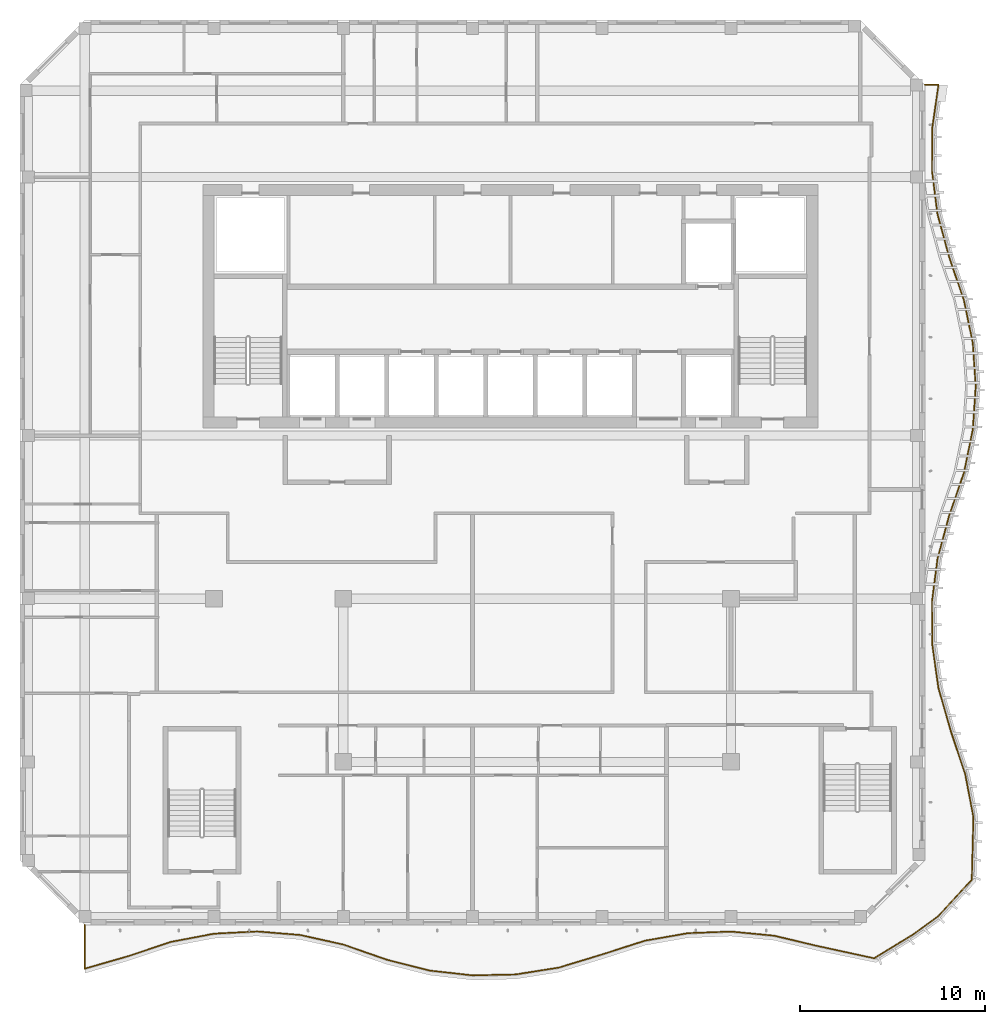
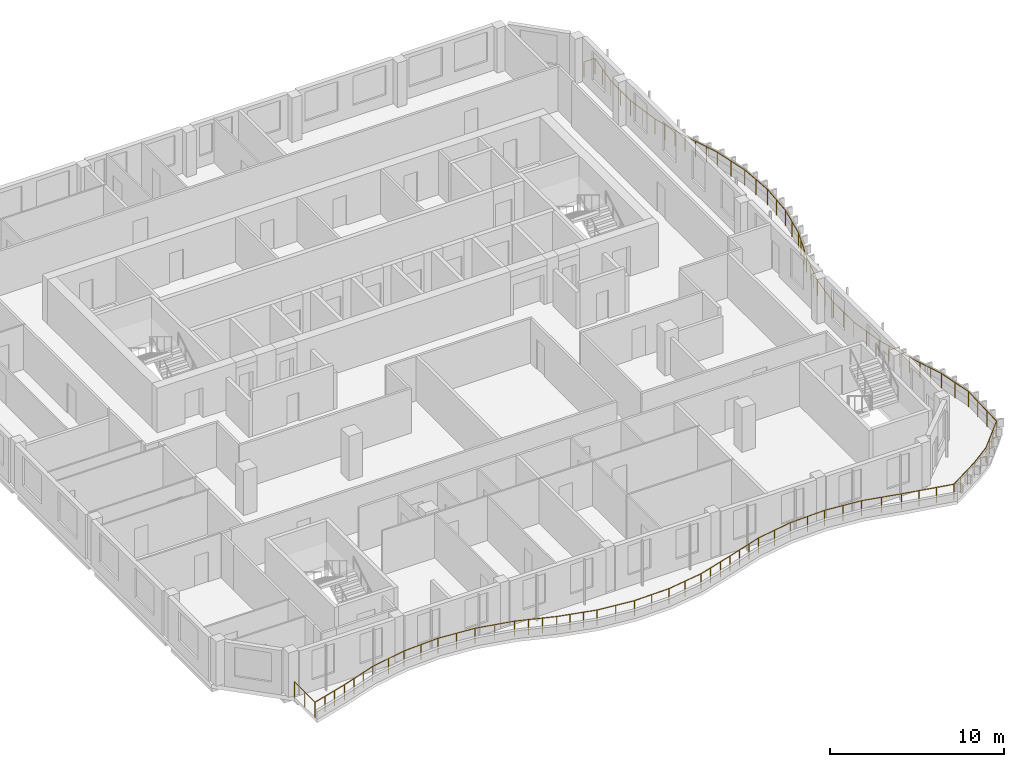
# One storey, part 14 of 18: 1 railing.
"""IFC4 building model written with IfcOpenShell, lengths in metres."""

from ifc_helpers import new_model, si_unit, direction, frame, origin, origin_2d, place, context, subcontext, project, spatial, circle, extrude, material, type_object, element, save


model = new_model("IFC4")

# Units and contexts
model_context = context("Model", 3, precision=1e-05, world=origin(), true_north=direction((0.0, 1.0)))
body_context = subcontext(model_context, "Body", "Model", "MODEL_VIEW")
ifc_project = project(units=[si_unit("LENGTHUNIT", "METRE"), si_unit("AREAUNIT", "SQUARE_METRE"), si_unit("VOLUMEUNIT", "CUBIC_METRE"), si_unit("PLANEANGLEUNIT", "RADIAN"), si_unit("MASSUNIT", "GRAM", prefix="KILO")], contexts=[model_context])

# Site, building, storey
site_placement = place(None, origin())
site = spatial("IfcSite", under=ifc_project, at=site_placement, CompositionType="ELEMENT")
building_placement = place(site_placement, origin())
building = spatial("IfcBuilding", under=site, at=building_placement, Name="Kilnfold Tower and Market Hall", CompositionType="ELEMENT")
storey_placement = place(building_placement, frame((0.0, 0.0, 280.60009765625)))
storey = spatial("IfcBuildingStorey", under=building, at=storey_placement, Name="L69", CompositionType="ELEMENT", Elevation=280.60009765625)

# Railing
ifc_material = material(Name="Stainless steel and laminated glass", Category="steel")
railing_type = type_object("IfcRailingType", Name="GUARD 1100", PredefinedType="GUARDRAIL", material=ifc_material)
railing_placement = place(storey_placement, frame((-22.0, -18.5, 0.0)))
element("IfcRailing", 1, at=railing_placement, inside=storey, type_object=railing_type, Name="Guard balcony L69", PredefinedType="GUARDRAIL", context=body_context, shape_type="SweptSolid", body=[
    extrude(circle(Radius=0.02490234375, at=origin_2d()), frame((0.0, 0.0, 1.0751953125), z_axis=(0.0, -1.0, 0.0), x_axis=(1.0, 0.0, 0.0)), (0.0, 0.0, 1.0), 2.367431640625),
    extrude(circle(Radius=0.02490234375, at=origin_2d()), frame((0.0, -2.367431640625, 1.0751953125), z_axis=(0.96113971032, 0.276062415489, 0.0), x_axis=(-0.276062415489, 0.96113971032, 0.0)), (0.0, 0.0, 1.0), 2.427490234375),
    extrude(circle(Radius=0.02490234375, at=origin_2d()), frame((2.333251953125, -1.697265625, 1.0751953125), z_axis=(0.94844487588, 0.316942135756, 0.0), x_axis=(-0.316942135756, 0.94844487588, 0.0)), (0.0, 0.0, 1.0), 2.46044921875),
    extrude(circle(Radius=0.02490234375, at=origin_2d()), frame((4.666748046875, -0.91748046875, 1.0751953125), z_axis=(0.982421246933, 0.186677512235, 0.0), x_axis=(-0.186677512235, 0.982421246933, 0.0)), (0.0, 0.0, 1.0), 2.375),
    extrude(circle(Radius=0.02490234375, at=origin_2d()), frame((7.0, -0.47412109375, 1.0751953125), z_axis=(0.998628776345, 0.052350425547, 0.0), x_axis=(-0.052350425547, 0.998628776345, 0.0)), (0.0, 0.0, 1.0), 2.33642578125),
    extrude(circle(Radius=0.02490234375, at=origin_2d()), frame((9.333251953125, -0.351806640625, 1.0751953125), z_axis=(0.996635774211, -0.081958120792, 0.0), x_axis=(0.081958120792, 0.996635774211, 0.0)), (0.0, 0.0, 1.0), 2.34130859375),
    extrude(circle(Radius=0.02490234375, at=origin_2d()), frame((11.666748046875, -0.543701171875, 1.0751953125), z_axis=(0.976355032101, -0.216173197439, 0.0), x_axis=(0.216173197439, 0.976355032101, 0.0)), (0.0, 0.0, 1.0), 2.3896484375),
    extrude(circle(Radius=0.02490234375, at=origin_2d()), frame((14.0, -1.060302734375, 1.0751953125), z_axis=(0.94404147133, -0.329826773336, 0.0), x_axis=(0.329826773336, 0.94404147133, 0.0)), (0.0, 0.0, 1.0), 2.471435546875),
    extrude(circle(Radius=0.02490234375, at=origin_2d()), frame((16.333251953125, -1.87548828125, 1.0751953125), z_axis=(0.969144312819, -0.246494018044, 0.0), x_axis=(0.246494018044, 0.969144312819, 0.0)), (0.0, 0.0, 1.0), 2.40771484375),
    extrude(circle(Radius=0.02490234375, at=origin_2d()), frame((18.666748046875, -2.468994140625, 1.0751953125), z_axis=(0.993686911197, -0.112188780703, 0.0), x_axis=(0.112188780703, 0.993686911197, 0.0)), (0.0, 0.0, 1.0), 2.34814453125),
    extrude(circle(Radius=0.02490234375, at=origin_2d()), frame((21.0, -2.732421875, 1.0751953125), z_axis=(0.999756368741, 0.022072679063, 0.0), x_axis=(-0.022072679063, 0.999756368741, 0.0)), (0.0, 0.0, 1.0), 2.333740234375),
    extrude(circle(Radius=0.02490234375, at=origin_2d()), frame((23.333251953125, -2.680908203125, 1.0751953125), z_axis=(0.987717677878, 0.156249124184, 0.0), x_axis=(-0.156249124184, 0.987717677878, 0.0)), (0.0, 0.0, 1.0), 2.362548828125),
    extrude(circle(Radius=0.02490234375, at=origin_2d()), frame((25.666748046875, -2.311767578125, 1.0751953125), z_axis=(0.956831366062, 0.290643659692, 0.0), x_axis=(-0.290643659692, 0.956831366062, 0.0)), (0.0, 0.0, 1.0), 2.4384765625),
    extrude(circle(Radius=0.02490234375, at=origin_2d()), frame((28.0, -1.60302734375, 1.0751953125), z_axis=(0.952083481777, 0.305838264001, 0.0), x_axis=(-0.305838264001, 0.952083481777, 0.0)), (0.0, 0.0, 1.0), 2.45068359375),
    extrude(circle(Radius=0.02490234375, at=origin_2d()), frame((30.333251953125, -0.853515625, 1.0751953125), z_axis=(0.985076806765, 0.172115324053, 0.0), x_axis=(-0.172115324053, 0.985076806765, 0.0)), (0.0, 0.0, 1.0), 2.368896484375),
    extrude(circle(Radius=0.02490234375, at=origin_2d()), frame((32.666748046875, -0.44580078125, 1.0751953125), z_axis=(0.999283399751, 0.037850851806, 0.0), x_axis=(-0.037850851806, 0.999283399751, 0.0)), (0.0, 0.0, 1.0), 2.3349609375),
    extrude(circle(Radius=0.02490234375, at=origin_2d()), frame((35.0, -0.357421875, 1.0751953125), z_axis=(0.995338733027, -0.09644068921, 0.0), x_axis=(0.09644068921, 0.995338733027, 0.0)), (0.0, 0.0, 1.0), 2.34423828125),
    extrude(circle(Radius=0.02490234375, at=origin_2d()), frame((37.333251953125, -0.58349609375, 1.0751953125), z_axis=(0.973028594078, -0.230684535905, 0.0), x_axis=(0.230684535905, 0.973028594078, 0.0)), (0.0, 0.0, 1.0), 2.398193359375),
    extrude(circle(Radius=0.02490234375, at=origin_2d()), frame((39.666748046875, -1.13671875, 1.0751953125), z_axis=(0.977117646737, -0.212699563786, 0.0), x_axis=(0.212699563786, 0.977117646737, 0.0)), (0.0, 0.0, 1.0), 3.154296875),
    extrude(circle(Radius=0.02490234375, at=origin_2d()), frame((42.748779296875, -1.8076171875, 1.0751953125), z_axis=(0.852892670022, 0.522086289249, 0.0), x_axis=(-0.522086289249, 0.852892670022, 0.0)), (0.0, 0.0, 1.0), 2.46728515625),
    extrude(circle(Radius=0.02490234375, at=origin_2d()), frame((44.85302734375, -0.51953125, 1.0751953125), z_axis=(0.809096176964, 0.587676251368, 0.0), x_axis=(-0.587676251368, 0.809096176964, 0.0)), (0.0, 0.0, 1.0), 1.67041015625),
    extrude(circle(Radius=0.02490234375, at=origin_2d()), frame((46.20458984375, 0.462158203125, 1.0751953125), z_axis=(0.678512597935, 0.734588765531, 0.0), x_axis=(-0.734588765531, 0.678512597935, 0.0)), (0.0, 0.0, 1.0), 2.70361328125),
    extrude(circle(Radius=0.02490234375, at=origin_2d()), frame((48.0390625, 2.4482421875, 1.0751953125), z_axis=(0.02530743456, 0.999679715587, 0.0), x_axis=(-0.999679715587, 0.02530743456, 0.0)), (0.0, 0.0, 1.0), 3.385986328125),
    extrude(circle(Radius=0.02490234375, at=origin_2d()), frame((48.124755859375, 5.833251953125, 1.0751953125), z_axis=(-0.187055433655, 0.982349359821, 0.0), x_axis=(-0.982349359821, -0.187055433655, 0.0)), (0.0, 0.0, 1.0), 2.37548828125),
    extrude(circle(Radius=0.02490234375, at=origin_2d()), frame((47.680419921875, 8.166748046875, 1.0751953125), z_axis=(-0.317418207313, 0.948285654044, 0.0), x_axis=(-0.948285654044, -0.317418207313, 0.0)), (0.0, 0.0, 1.0), 2.46044921875),
    extrude(circle(Radius=0.02490234375, at=origin_2d()), frame((46.8994140625, 10.5, 1.0751953125), z_axis=(-0.275504847693, 0.961299682148, 0.0), x_axis=(-0.961299682148, -0.275504847693, 0.0)), (0.0, 0.0, 1.0), 2.42724609375),
    extrude(circle(Radius=0.02490234375, at=origin_2d()), frame((46.230712890625, 12.833251953125, 1.0751953125), z_axis=(-0.141276349669, 0.989970198048, 0.0), x_axis=(-0.989970198048, -0.141276349669, 0.0)), (0.0, 0.0, 1.0), 2.357177734375),
    extrude(circle(Radius=0.02490234375, at=origin_2d()), frame((45.897705078125, 15.166748046875, 1.0751953125), z_axis=(-0.007010395898, 0.999975426873, 0.0), x_axis=(-0.999975426873, -0.007010395898, 0.0)), (0.0, 0.0, 1.0), 2.333251953125),
    extrude(circle(Radius=0.02490234375, at=origin_2d()), frame((45.88134765625, 17.5, 1.0751953125), z_axis=(0.12724024102, 0.991871927753, 0.0), x_axis=(-0.991871927753, 0.12724024102, 0.0)), (0.0, 0.0, 1.0), 2.352294921875),
    extrude(circle(Radius=0.02490234375, at=origin_2d()), frame((46.1806640625, 19.833251953125, 1.0751953125), z_axis=(0.261544835595, 0.965191327651, 0.0), x_axis=(-0.965191327651, 0.261544835595, 0.0)), (0.0, 0.0, 1.0), 2.417724609375),
    extrude(circle(Radius=0.02490234375, at=origin_2d()), frame((46.81298828125, 22.166748046875, 1.0751953125), z_axis=(0.324883398585, 0.945754078671, 0.0), x_axis=(-0.945754078671, 0.324883398585, 0.0)), (0.0, 0.0, 1.0), 2.467041015625),
    extrude(circle(Radius=0.02490234375, at=origin_2d()), frame((47.614501953125, 24.5, 1.0751953125), z_axis=(0.201100506753, 0.979570613169, 0.0), x_axis=(-0.979570613169, 0.201100506753, 0.0)), (0.0, 0.0, 1.0), 2.3818359375),
    extrude(circle(Radius=0.02490234375, at=origin_2d()), frame((48.093505859375, 26.833251953125, 1.0751953125), z_axis=(0.066913931739, 0.997758751272, 0.0), x_axis=(-0.997758751272, 0.066913931739, 0.0)), (0.0, 0.0, 1.0), 2.338623046875),
    extrude(circle(Radius=0.02490234375, at=origin_2d()), frame((48.25, 29.166748046875, 1.0751953125), z_axis=(-0.067440540817, 0.997723295034, 0.0), x_axis=(-0.997723295034, -0.067440540817, 0.0)), (0.0, 0.0, 1.0), 2.338623046875),
    extrude(circle(Radius=0.02490234375, at=origin_2d()), frame((48.09228515625, 31.5, 1.0751953125), z_axis=(-0.201592193466, 0.979469543954, 0.0), x_axis=(-0.979469543954, -0.201592193466, 0.0)), (0.0, 0.0, 1.0), 2.382080078125),
    extrude(circle(Radius=0.02490234375, at=origin_2d()), frame((47.612060546875, 33.833251953125, 1.0751953125), z_axis=(-0.325118480329, 0.945673291231, 0.0), x_axis=(-0.945673291231, -0.325118480329, 0.0)), (0.0, 0.0, 1.0), 2.467529296875),
    extrude(circle(Radius=0.02490234375, at=origin_2d()), frame((46.809814453125, 36.166748046875, 1.0751953125), z_axis=(-0.261005700354, 0.965337259398, 0.0), x_axis=(-0.965337259398, -0.261005700354, 0.0)), (0.0, 0.0, 1.0), 2.4169921875),
    extrude(circle(Radius=0.02490234375, at=origin_2d()), frame((46.178955078125, 38.5, 1.0751953125), z_axis=(-0.126729667634, 0.991937292041, 0.0), x_axis=(-0.991937292041, -0.126729667634, 0.0)), (0.0, 0.0, 1.0), 2.352294921875),
    extrude(circle(Radius=0.02490234375, at=origin_2d()), frame((45.880859375, 40.833251953125, 1.0751953125), z_axis=(0.007532742964, 0.999971628489, 0.0), x_axis=(-0.999971628489, 0.007532742964, 0.0)), (0.0, 0.0, 1.0), 2.33349609375),
    extrude(circle(Radius=0.02490234375, at=origin_2d()), frame((45.8984375, 43.166748046875, 1.0751953125), z_axis=(0.141696872456, 0.989910095077, 0.0), x_axis=(-0.989910095077, 0.141696872456, 0.0)), (0.0, 0.0, 1.0), 2.35693359375),
    extrude(circle(Radius=0.02490234375, at=origin_2d()), frame((46.232421875, 45.5, 1.0751953125), z_axis=(-1.0, 0.0, 0.0), x_axis=(0.0, -1.0, 0.0)), (0.0, 0.0, 1.0), 0.732421875),
    extrude(circle(Radius=0.02490234375, at=origin_2d()), origin(), (0.0, 0.0, 1.0), 1.050048828125),
    extrude(circle(Radius=0.02490234375, at=origin_2d()), frame((0.0, -1.18359375, 0.0)), (0.0, 0.0, 1.0), 1.050048828125),
    extrude(circle(Radius=0.02490234375, at=origin_2d()), frame((0.0, -2.367431640625, 0.0)), (0.0, 0.0, 1.0), 1.050048828125),
    extrude(circle(Radius=0.02490234375, at=origin_2d()), frame((0.77783203125, -2.14404296875, 0.0)), (0.0, 0.0, 1.0), 1.050048828125),
    extrude(circle(Radius=0.02490234375, at=origin_2d()), frame((1.555419921875, -1.920654296875, 0.0)), (0.0, 0.0, 1.0), 1.050048828125),
    extrude(circle(Radius=0.02490234375, at=origin_2d()), frame((2.333251953125, -1.697265625, 0.0)), (0.0, 0.0, 1.0), 1.050048828125),
    extrude(circle(Radius=0.02490234375, at=origin_2d()), frame((3.111083984375, -1.437255859375, 0.0)), (0.0, 0.0, 1.0), 1.050048828125),
    extrude(circle(Radius=0.02490234375, at=origin_2d()), frame((3.888916015625, -1.177490234375, 0.0)), (0.0, 0.0, 1.0), 1.050048828125),
    extrude(circle(Radius=0.02490234375, at=origin_2d()), frame((4.666748046875, -0.91748046875, 0.0)), (0.0, 0.0, 1.0), 1.050048828125),
    extrude(circle(Radius=0.02490234375, at=origin_2d()), frame((5.83349609375, -0.69580078125, 0.0)), (0.0, 0.0, 1.0), 1.050048828125),
    extrude(circle(Radius=0.02490234375, at=origin_2d()), frame((7.0, -0.47412109375, 0.0)), (0.0, 0.0, 1.0), 1.050048828125),
    extrude(circle(Radius=0.02490234375, at=origin_2d()), frame((8.16650390625, -0.4130859375, 0.0)), (0.0, 0.0, 1.0), 1.050048828125),
    extrude(circle(Radius=0.02490234375, at=origin_2d()), frame((9.333251953125, -0.351806640625, 0.0)), (0.0, 0.0, 1.0), 1.050048828125),
    extrude(circle(Radius=0.02490234375, at=origin_2d()), frame((10.5, -0.44775390625, 0.0)), (0.0, 0.0, 1.0), 1.050048828125),
    extrude(circle(Radius=0.02490234375, at=origin_2d()), frame((11.666748046875, -0.543701171875, 0.0)), (0.0, 0.0, 1.0), 1.050048828125),
    extrude(circle(Radius=0.02490234375, at=origin_2d()), frame((12.83349609375, -0.802001953125, 0.0)), (0.0, 0.0, 1.0), 1.050048828125),
    extrude(circle(Radius=0.02490234375, at=origin_2d()), frame((14.0, -1.060302734375, 0.0)), (0.0, 0.0, 1.0), 1.050048828125),
    extrude(circle(Radius=0.02490234375, at=origin_2d()), frame((14.77783203125, -1.33203125, 0.0)), (0.0, 0.0, 1.0), 1.050048828125),
    extrude(circle(Radius=0.02490234375, at=origin_2d()), frame((15.555419921875, -1.603759765625, 0.0)), (0.0, 0.0, 1.0), 1.050048828125),
    extrude(circle(Radius=0.02490234375, at=origin_2d()), frame((16.333251953125, -1.87548828125, 0.0)), (0.0, 0.0, 1.0), 1.050048828125),
    extrude(circle(Radius=0.02490234375, at=origin_2d()), frame((17.111083984375, -2.0732421875, 0.0)), (0.0, 0.0, 1.0), 1.050048828125),
    extrude(circle(Radius=0.02490234375, at=origin_2d()), frame((17.888916015625, -2.271240234375, 0.0)), (0.0, 0.0, 1.0), 1.050048828125),
    extrude(circle(Radius=0.02490234375, at=origin_2d()), frame((18.666748046875, -2.468994140625, 0.0)), (0.0, 0.0, 1.0), 1.050048828125),
    extrude(circle(Radius=0.02490234375, at=origin_2d()), frame((19.83349609375, -2.6005859375, 0.0)), (0.0, 0.0, 1.0), 1.050048828125),
    extrude(circle(Radius=0.02490234375, at=origin_2d()), frame((21.0, -2.732421875, 0.0)), (0.0, 0.0, 1.0), 1.050048828125),
    extrude(circle(Radius=0.02490234375, at=origin_2d()), frame((22.16650390625, -2.70654296875, 0.0)), (0.0, 0.0, 1.0), 1.050048828125),
    extrude(circle(Radius=0.02490234375, at=origin_2d()), frame((23.333251953125, -2.680908203125, 0.0)), (0.0, 0.0, 1.0), 1.050048828125),
    extrude(circle(Radius=0.02490234375, at=origin_2d()), frame((24.5, -2.496337890625, 0.0)), (0.0, 0.0, 1.0), 1.050048828125),
    extrude(circle(Radius=0.02490234375, at=origin_2d()), frame((25.666748046875, -2.311767578125, 0.0)), (0.0, 0.0, 1.0), 1.050048828125),
    extrude(circle(Radius=0.02490234375, at=origin_2d()), frame((26.444580078125, -2.075439453125, 0.0)), (0.0, 0.0, 1.0), 1.050048828125),
    extrude(circle(Radius=0.02490234375, at=origin_2d()), frame((27.22216796875, -1.83935546875, 0.0)), (0.0, 0.0, 1.0), 1.050048828125),
    extrude(circle(Radius=0.02490234375, at=origin_2d()), frame((28.0, -1.60302734375, 0.0)), (0.0, 0.0, 1.0), 1.050048828125),
    extrude(circle(Radius=0.02490234375, at=origin_2d()), frame((28.77783203125, -1.353271484375, 0.0)), (0.0, 0.0, 1.0), 1.050048828125),
    extrude(circle(Radius=0.02490234375, at=origin_2d()), frame((29.555419921875, -1.103271484375, 0.0)), (0.0, 0.0, 1.0), 1.050048828125),
    extrude(circle(Radius=0.02490234375, at=origin_2d()), frame((30.333251953125, -0.853515625, 0.0)), (0.0, 0.0, 1.0), 1.050048828125),
    extrude(circle(Radius=0.02490234375, at=origin_2d()), frame((31.5, -0.649658203125, 0.0)), (0.0, 0.0, 1.0), 1.050048828125),
    extrude(circle(Radius=0.02490234375, at=origin_2d()), frame((32.666748046875, -0.44580078125, 0.0)), (0.0, 0.0, 1.0), 1.050048828125),
    extrude(circle(Radius=0.02490234375, at=origin_2d()), frame((33.83349609375, -0.401611328125, 0.0)), (0.0, 0.0, 1.0), 1.050048828125),
    extrude(circle(Radius=0.02490234375, at=origin_2d()), frame((35.0, -0.357421875, 0.0)), (0.0, 0.0, 1.0), 1.050048828125),
    extrude(circle(Radius=0.02490234375, at=origin_2d()), frame((36.16650390625, -0.470458984375, 0.0)), (0.0, 0.0, 1.0), 1.050048828125),
    extrude(circle(Radius=0.02490234375, at=origin_2d()), frame((37.333251953125, -0.58349609375, 0.0)), (0.0, 0.0, 1.0), 1.050048828125),
    extrude(circle(Radius=0.02490234375, at=origin_2d()), frame((38.5, -0.860107421875, 0.0)), (0.0, 0.0, 1.0), 1.050048828125),
    extrude(circle(Radius=0.02490234375, at=origin_2d()), frame((39.666748046875, -1.13671875, 0.0)), (0.0, 0.0, 1.0), 1.050048828125),
    extrude(circle(Radius=0.02490234375, at=origin_2d()), frame((40.694091796875, -1.3603515625, 0.0)), (0.0, 0.0, 1.0), 1.050048828125),
    extrude(circle(Radius=0.02490234375, at=origin_2d()), frame((41.721435546875, -1.583984375, 0.0)), (0.0, 0.0, 1.0), 1.050048828125),
    extrude(circle(Radius=0.02490234375, at=origin_2d()), frame((42.748779296875, -1.8076171875, 0.0)), (0.0, 0.0, 1.0), 1.050048828125),
    extrude(circle(Radius=0.02490234375, at=origin_2d()), frame((43.4501953125, -1.378173828125, 0.0)), (0.0, 0.0, 1.0), 1.050048828125),
    extrude(circle(Radius=0.02490234375, at=origin_2d()), frame((44.151611328125, -0.948974609375, 0.0)), (0.0, 0.0, 1.0), 1.050048828125),
    extrude(circle(Radius=0.02490234375, at=origin_2d()), frame((44.85302734375, -0.51953125, 0.0)), (0.0, 0.0, 1.0), 1.050048828125),
    extrude(circle(Radius=0.02490234375, at=origin_2d()), frame((45.52880859375, -0.02880859375, 0.0)), (0.0, 0.0, 1.0), 1.050048828125),
    extrude(circle(Radius=0.02490234375, at=origin_2d()), frame((46.20458984375, 0.462158203125, 0.0)), (0.0, 0.0, 1.0), 1.050048828125),
    extrude(circle(Radius=0.02490234375, at=origin_2d()), frame((46.816162109375, 1.124267578125, 0.0)), (0.0, 0.0, 1.0), 1.050048828125),
    extrude(circle(Radius=0.02490234375, at=origin_2d()), frame((47.427490234375, 1.7861328125, 0.0)), (0.0, 0.0, 1.0), 1.050048828125),
    extrude(circle(Radius=0.02490234375, at=origin_2d()), frame((48.0390625, 2.4482421875, 0.0)), (0.0, 0.0, 1.0), 1.050048828125),
    extrude(circle(Radius=0.02490234375, at=origin_2d()), frame((48.067626953125, 3.57666015625, 0.0)), (0.0, 0.0, 1.0), 1.050048828125),
    extrude(circle(Radius=0.02490234375, at=origin_2d()), frame((48.09619140625, 4.704833984375, 0.0)), (0.0, 0.0, 1.0), 1.050048828125),
    extrude(circle(Radius=0.02490234375, at=origin_2d()), frame((48.124755859375, 5.833251953125, 0.0)), (0.0, 0.0, 1.0), 1.050048828125),
    extrude(circle(Radius=0.02490234375, at=origin_2d()), frame((47.902587890625, 7.0, 0.0)), (0.0, 0.0, 1.0), 1.050048828125),
    extrude(circle(Radius=0.02490234375, at=origin_2d()), frame((47.680419921875, 8.166748046875, 0.0)), (0.0, 0.0, 1.0), 1.050048828125),
    extrude(circle(Radius=0.02490234375, at=origin_2d()), frame((47.420166015625, 8.944580078125, 0.0)), (0.0, 0.0, 1.0), 1.050048828125),
    extrude(circle(Radius=0.02490234375, at=origin_2d()), frame((47.15966796875, 9.72216796875, 0.0)), (0.0, 0.0, 1.0), 1.050048828125),
    extrude(circle(Radius=0.02490234375, at=origin_2d()), frame((46.8994140625, 10.5, 0.0)), (0.0, 0.0, 1.0), 1.050048828125),
    extrude(circle(Radius=0.02490234375, at=origin_2d()), frame((46.676513671875, 11.27783203125, 0.0)), (0.0, 0.0, 1.0), 1.050048828125),
    extrude(circle(Radius=0.02490234375, at=origin_2d()), frame((46.45361328125, 12.055419921875, 0.0)), (0.0, 0.0, 1.0), 1.050048828125),
    extrude(circle(Radius=0.02490234375, at=origin_2d()), frame((46.230712890625, 12.833251953125, 0.0)), (0.0, 0.0, 1.0), 1.050048828125),
    extrude(circle(Radius=0.02490234375, at=origin_2d()), frame((46.064208984375, 14.0, 0.0)), (0.0, 0.0, 1.0), 1.050048828125),
    extrude(circle(Radius=0.02490234375, at=origin_2d()), frame((45.897705078125, 15.166748046875, 0.0)), (0.0, 0.0, 1.0), 1.050048828125),
    extrude(circle(Radius=0.02490234375, at=origin_2d()), frame((45.8896484375, 16.33349609375, 0.0)), (0.0, 0.0, 1.0), 1.050048828125),
    extrude(circle(Radius=0.02490234375, at=origin_2d()), frame((45.88134765625, 17.5, 0.0)), (0.0, 0.0, 1.0), 1.050048828125),
    extrude(circle(Radius=0.02490234375, at=origin_2d()), frame((46.031005859375, 18.66650390625, 0.0)), (0.0, 0.0, 1.0), 1.050048828125),
    extrude(circle(Radius=0.02490234375, at=origin_2d()), frame((46.1806640625, 19.833251953125, 0.0)), (0.0, 0.0, 1.0), 1.050048828125),
    extrude(circle(Radius=0.02490234375, at=origin_2d()), frame((46.391357421875, 20.611083984375, 0.0)), (0.0, 0.0, 1.0), 1.050048828125),
    extrude(circle(Radius=0.02490234375, at=origin_2d()), frame((46.602294921875, 21.388916015625, 0.0)), (0.0, 0.0, 1.0), 1.050048828125),
    extrude(circle(Radius=0.02490234375, at=origin_2d()), frame((46.81298828125, 22.166748046875, 0.0)), (0.0, 0.0, 1.0), 1.050048828125),
    extrude(circle(Radius=0.02490234375, at=origin_2d()), frame((47.080078125, 22.944580078125, 0.0)), (0.0, 0.0, 1.0), 1.050048828125),
    extrude(circle(Radius=0.02490234375, at=origin_2d()), frame((47.347412109375, 23.72216796875, 0.0)), (0.0, 0.0, 1.0), 1.050048828125),
    extrude(circle(Radius=0.02490234375, at=origin_2d()), frame((47.614501953125, 24.5, 0.0)), (0.0, 0.0, 1.0), 1.050048828125),
    extrude(circle(Radius=0.02490234375, at=origin_2d()), frame((47.85400390625, 25.66650390625, 0.0)), (0.0, 0.0, 1.0), 1.050048828125),
    extrude(circle(Radius=0.02490234375, at=origin_2d()), frame((48.093505859375, 26.833251953125, 0.0)), (0.0, 0.0, 1.0), 1.050048828125),
    extrude(circle(Radius=0.02490234375, at=origin_2d()), frame((48.171875, 28.0, 0.0)), (0.0, 0.0, 1.0), 1.050048828125),
    extrude(circle(Radius=0.02490234375, at=origin_2d()), frame((48.25, 29.166748046875, 0.0)), (0.0, 0.0, 1.0), 1.050048828125),
    extrude(circle(Radius=0.02490234375, at=origin_2d()), frame((48.171142578125, 30.33349609375, 0.0)), (0.0, 0.0, 1.0), 1.050048828125),
    extrude(circle(Radius=0.02490234375, at=origin_2d()), frame((48.09228515625, 31.5, 0.0)), (0.0, 0.0, 1.0), 1.050048828125),
    extrude(circle(Radius=0.02490234375, at=origin_2d()), frame((47.85205078125, 32.66650390625, 0.0)), (0.0, 0.0, 1.0), 1.050048828125),
    extrude(circle(Radius=0.02490234375, at=origin_2d()), frame((47.612060546875, 33.833251953125, 0.0)), (0.0, 0.0, 1.0), 1.050048828125),
    extrude(circle(Radius=0.02490234375, at=origin_2d()), frame((47.3447265625, 34.611083984375, 0.0)), (0.0, 0.0, 1.0), 1.050048828125),
    extrude(circle(Radius=0.02490234375, at=origin_2d()), frame((47.0771484375, 35.388916015625, 0.0)), (0.0, 0.0, 1.0), 1.050048828125),
    extrude(circle(Radius=0.02490234375, at=origin_2d()), frame((46.809814453125, 36.166748046875, 0.0)), (0.0, 0.0, 1.0), 1.050048828125),
    extrude(circle(Radius=0.02490234375, at=origin_2d()), frame((46.599609375, 36.944580078125, 0.0)), (0.0, 0.0, 1.0), 1.050048828125),
    extrude(circle(Radius=0.02490234375, at=origin_2d()), frame((46.38916015625, 37.72216796875, 0.0)), (0.0, 0.0, 1.0), 1.050048828125),
    extrude(circle(Radius=0.02490234375, at=origin_2d()), frame((46.178955078125, 38.5, 0.0)), (0.0, 0.0, 1.0), 1.050048828125),
    extrude(circle(Radius=0.02490234375, at=origin_2d()), frame((46.02978515625, 39.66650390625, 0.0)), (0.0, 0.0, 1.0), 1.050048828125),
    extrude(circle(Radius=0.02490234375, at=origin_2d()), frame((45.880859375, 40.833251953125, 0.0)), (0.0, 0.0, 1.0), 1.050048828125),
    extrude(circle(Radius=0.02490234375, at=origin_2d()), frame((45.8896484375, 42.0, 0.0)), (0.0, 0.0, 1.0), 1.050048828125),
    extrude(circle(Radius=0.02490234375, at=origin_2d()), frame((45.8984375, 43.166748046875, 0.0)), (0.0, 0.0, 1.0), 1.050048828125),
    extrude(circle(Radius=0.02490234375, at=origin_2d()), frame((46.0654296875, 44.33349609375, 0.0)), (0.0, 0.0, 1.0), 1.050048828125),
    extrude(circle(Radius=0.02490234375, at=origin_2d()), frame((46.232421875, 45.5, 0.0)), (0.0, 0.0, 1.0), 1.050048828125),
    extrude(circle(Radius=0.02490234375, at=origin_2d()), frame((45.5, 45.5, 0.0)), (0.0, 0.0, 1.0), 1.050048828125),
])

save(model, "model.ifc")
